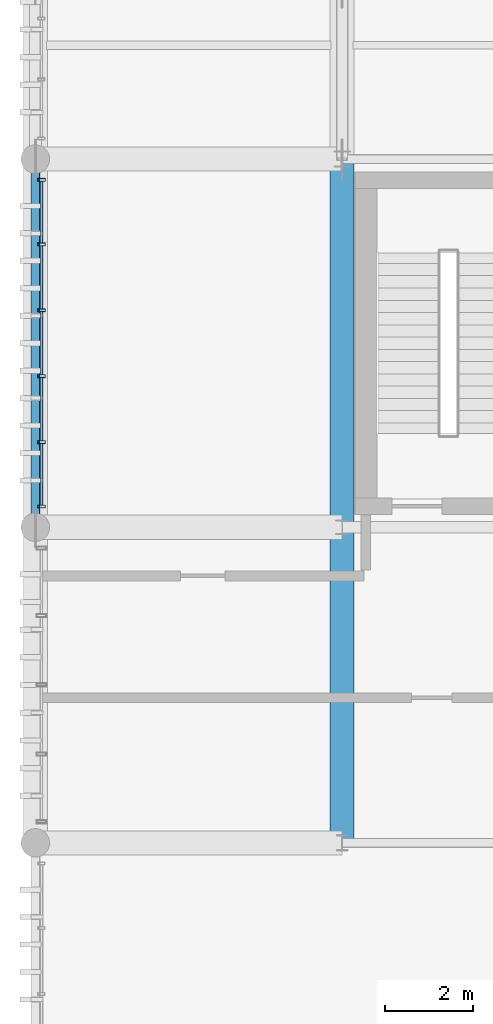
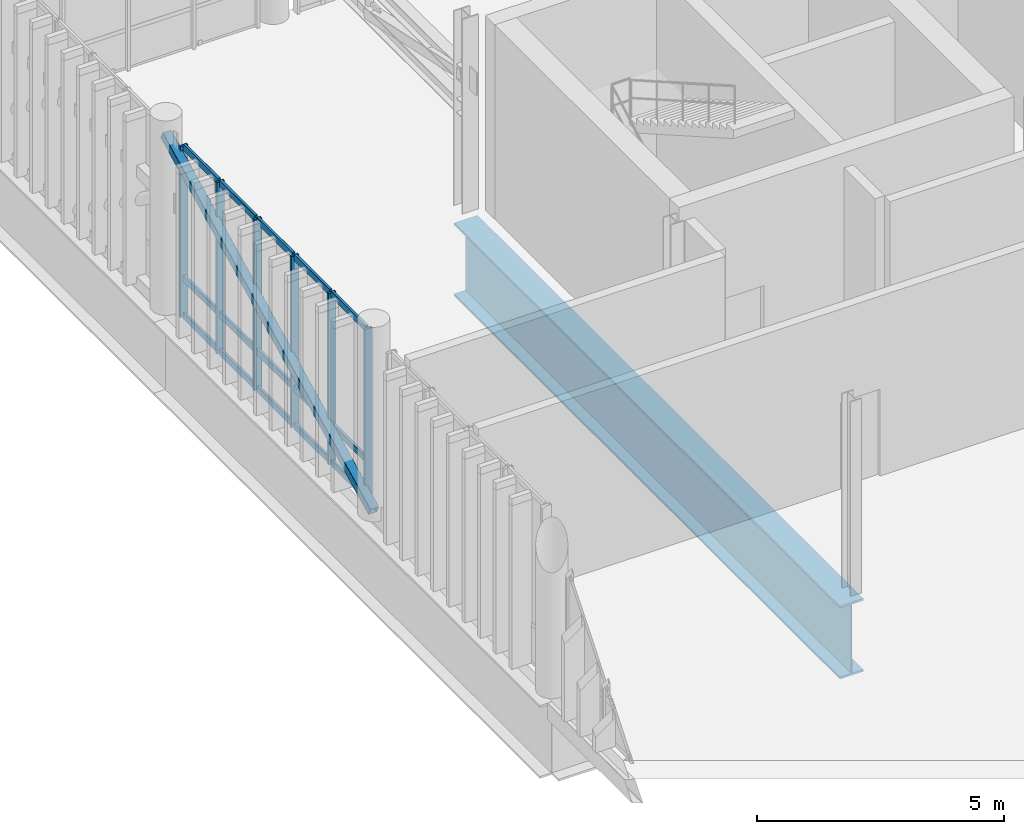
# One storey, part 12 of 81: 22 members, 1 beam, 1 element without a shape of its own.
"""IFC4 building model written with IfcOpenShell, lengths in metres."""

from ifc_helpers import new_model, si_unit, direction, frame, origin_with_axes, origin_2d_with_axis, place, context, subcontext, project, spatial, hollow_rectangle, i_section, extrude, material, material_profile, profile_set, type_object, element, aggregate, save


model = new_model("IFC4")

# Units and contexts
model_context = context("Model", 3, precision=1e-05, world=origin_with_axes(), true_north=direction((0.0, 1.0)))
body_context = subcontext(model_context, "Body", "Model", "MODEL_VIEW")
ifc_project = project(units=[si_unit("LENGTHUNIT", "METRE"), si_unit("AREAUNIT", "SQUARE_METRE"), si_unit("VOLUMEUNIT", "CUBIC_METRE"), si_unit("PLANEANGLEUNIT", "RADIAN"), si_unit("MASSUNIT", "GRAM", prefix="KILO"), si_unit("THERMODYNAMICTEMPERATUREUNIT", "KELVIN")], contexts=[model_context])

# Site, building, storey
site_placement = place(None, origin_with_axes())
site = spatial("IfcSite", under=ifc_project, at=site_placement, CompositionType="ELEMENT")
building_placement = place(site_placement, origin_with_axes())
building = spatial("IfcBuilding", under=site, at=building_placement, Name="Montbau Bow Law Courts", CompositionType="ELEMENT")
storey_placement = place(building_placement, frame((0.0, 0.0, 24.9), z_axis=(0.0, 0.0, 1.0), x_axis=(1.0, 0.0, 0.0)))
storey = spatial("IfcBuildingStorey", under=building, at=storey_placement, Name="L05", CompositionType="ELEMENT", Elevation=24.9)

# Beam
ifc_material_1 = material(Name="Steel CSA G40.21 Grade 350WT (350 MPa)", Category="steel")
ifc_material_profile_1 = material_profile(ifc_material_1, i_section(OverallWidth=0.55, OverallDepth=1.8, WebThickness=0.022, FlangeThickness=0.05, at=origin_2d_with_axis()), Name="WWF1800X550", Category="Main", Priority=0)
ifc_profile_set_1 = profile_set([ifc_material_profile_1], Name="Steel CSA G40.21 Grade 350WT (350 MPa)")
beam_type = type_object("IfcBeamType", Name="B-TRG-01", PredefinedType="USERDEFINED", material=ifc_profile_set_1)
beam_placement = place(None, frame((13.8, 39.0, 23.7), z_axis=(0.0, 1.0, 0.0), x_axis=(-1.0, 0.0, 0.0)))
element("IfcBeam", 1, at=beam_placement, inside=storey, type_object=beam_type, Name="TRG-L05-S0033:bm2_0036", ObjectType="GIRDER", PredefinedType="USERDEFINED", context=body_context, shape_type="SweptSolid", body=[
    extrude(i_section(OverallWidth=0.55, OverallDepth=1.8, WebThickness=0.022, FlangeThickness=0.05, at=origin_2d_with_axis()), origin_with_axes(), (0.0, 0.0, 1.0), 15.6),
])

# Member
ifc_material_2 = material(Name="Steel CSA G40.21 Grade 350W (350 MPa)", Category="steel")
ifc_material_profile_2 = material_profile(ifc_material_2, hollow_rectangle(XDim=0.203, YDim=0.203, WallThickness=0.0111, InnerFilletRadius=0.0222, OuterFilletRadius=0.0111, at=origin_2d_with_axis()), Name="HSS203X203X11", Category="Main", Priority=0)
ifc_profile_set_2 = profile_set([ifc_material_profile_2], Name="Steel CSA G40.21 Grade 350W (350 MPa)")
member_type_1 = type_object("IfcMemberType", Name="M-BRC-02", PredefinedType="BRACE", material=ifc_profile_set_2)
member_1_placement = place(None, frame((6.8, 46.2, 24.95), z_axis=(0.0, 0.894128949, 0.447809582), x_axis=(-1.0, 0.0, 0.0)))
element("IfcMember", 2, at=member_1_placement, inside=storey, type_object=member_type_1, Name="Diagonal brace CBF-L05-042A", PredefinedType="BRACE", context=body_context, shape_type="SweptSolid", body=[
    extrude(hollow_rectangle(XDim=0.203, YDim=0.203, WallThickness=0.0111, InnerFilletRadius=0.0222, OuterFilletRadius=0.0111, at=origin_2d_with_axis()), origin_with_axes(), (0.0, 0.0, 1.0), 9.394618),
])

# Curtain wall, members
ifc_material_3 = material(Name="Thermally Broken Extruded Aluminium AA 6063-T6", Category="aluminium")
curtain_wall_type = type_object("IfcCurtainWallType", Name="CW-TRC-02", PredefinedType="NOTDEFINED", material=ifc_material_3)
curtain_wall_placement = place(None, frame((6.94, 46.64, 24.9), z_axis=(0.0, 0.0, 1.0), x_axis=(1.0, 0.0, 0.0)))
curtain_wall = element("IfcCurtainWall", 3, at=curtain_wall_placement, inside=storey, type_object=curtain_wall_type, Name="CW-L05-088:cw_0088", PredefinedType="NOTDEFINED")
ifc_material_profile_3 = material_profile(ifc_material_3, hollow_rectangle(XDim=0.065, YDim=0.18, WallThickness=0.005, InnerFilletRadius=0.01, OuterFilletRadius=0.005, at=origin_2d_with_axis()), Name="CWM-180X65", Category="Main", Priority=0)
ifc_profile_set_3 = profile_set([ifc_material_profile_3], Name="Thermally Broken Extruded Aluminium AA 6063-T6")
member_type_2 = type_object("IfcMemberType", Name="M-MUL-02", PredefinedType="MULLION", material=ifc_profile_set_3)
member_2_placement = place(None, frame((6.94, 46.673, 24.9), z_axis=(0.0, 0.0, 1.0), x_axis=(0.0, 1.0, 0.0)))
member_2 = element("IfcMember", 4, at=member_2_placement, type_object=member_type_2, Name="CW-L05-088-M01:cw_0088_M01", PredefinedType="MULLION", context=body_context, shape_type="SweptSolid", body=[
    extrude(hollow_rectangle(XDim=0.065, YDim=0.18, WallThickness=0.005, InnerFilletRadius=0.01, OuterFilletRadius=0.005, at=origin_2d_with_axis()), origin_with_axes(), (0.0, 0.0, 1.0), 4.22),
])
member_3_placement = place(None, frame((6.94, 48.144, 24.9), z_axis=(0.0, 0.0, 1.0), x_axis=(0.0, 1.0, 0.0)))
member_3 = element("IfcMember", 5, at=member_3_placement, type_object=member_type_2, Name="CW-L05-088-M02:cw_0088_M02", PredefinedType="MULLION", context=body_context, shape_type="SweptSolid", body=[
    extrude(hollow_rectangle(XDim=0.065, YDim=0.18, WallThickness=0.005, InnerFilletRadius=0.01, OuterFilletRadius=0.005, at=origin_2d_with_axis()), origin_with_axes(), (0.0, 0.0, 1.0), 4.22),
])
member_4_placement = place(None, frame((6.94, 49.648, 24.9), z_axis=(0.0, 0.0, 1.0), x_axis=(0.0, 1.0, 0.0)))
member_4 = element("IfcMember", 6, at=member_4_placement, type_object=member_type_2, Name="CW-L05-088-M03:cw_0088_M03", PredefinedType="MULLION", context=body_context, shape_type="SweptSolid", body=[
    extrude(hollow_rectangle(XDim=0.065, YDim=0.18, WallThickness=0.005, InnerFilletRadius=0.01, OuterFilletRadius=0.005, at=origin_2d_with_axis()), origin_with_axes(), (0.0, 0.0, 1.0), 4.22),
])
member_5_placement = place(None, frame((6.94, 51.152, 24.9), z_axis=(0.0, 0.0, 1.0), x_axis=(0.0, 1.0, 0.0)))
member_5 = element("IfcMember", 7, at=member_5_placement, type_object=member_type_2, Name="CW-L05-088-M04:cw_0088_M04", PredefinedType="MULLION", context=body_context, shape_type="SweptSolid", body=[
    extrude(hollow_rectangle(XDim=0.065, YDim=0.18, WallThickness=0.005, InnerFilletRadius=0.01, OuterFilletRadius=0.005, at=origin_2d_with_axis()), origin_with_axes(), (0.0, 0.0, 1.0), 4.22),
])
member_6_placement = place(None, frame((6.94, 52.656, 24.9), z_axis=(0.0, 0.0, 1.0), x_axis=(0.0, 1.0, 0.0)))
member_6 = element("IfcMember", 8, at=member_6_placement, type_object=member_type_2, Name="CW-L05-088-M05:cw_0088_M05", PredefinedType="MULLION", context=body_context, shape_type="SweptSolid", body=[
    extrude(hollow_rectangle(XDim=0.065, YDim=0.18, WallThickness=0.005, InnerFilletRadius=0.01, OuterFilletRadius=0.005, at=origin_2d_with_axis()), origin_with_axes(), (0.0, 0.0, 1.0), 4.22),
])
member_7_placement = place(None, frame((6.94, 54.127, 24.9), z_axis=(0.0, 0.0, 1.0), x_axis=(0.0, 1.0, 0.0)))
member_7 = element("IfcMember", 9, at=member_7_placement, type_object=member_type_2, Name="CW-L05-088-M06:cw_0088_M06", PredefinedType="MULLION", context=body_context, shape_type="SweptSolid", body=[
    extrude(hollow_rectangle(XDim=0.065, YDim=0.18, WallThickness=0.005, InnerFilletRadius=0.01, OuterFilletRadius=0.005, at=origin_2d_with_axis()), origin_with_axes(), (0.0, 0.0, 1.0), 4.22),
])
ifc_material_profile_4 = material_profile(ifc_material_3, hollow_rectangle(XDim=0.06, YDim=0.16, WallThickness=0.004, InnerFilletRadius=0.008, OuterFilletRadius=0.004, at=origin_2d_with_axis()), Name="CWT-160X60", Category="Main", Priority=0)
ifc_profile_set_4 = profile_set([ifc_material_profile_4], Name="Thermally Broken Extruded Aluminium AA 6063-T6")
member_type_3 = type_object("IfcMemberType", Name="M-TRN-01", PredefinedType="USERDEFINED", material=ifc_profile_set_4)
member_8_placement = place(None, frame((6.94, 46.708, 24.93), z_axis=(0.0, 1.0, 0.0), x_axis=(-1.0, 0.0, 0.0)))
member_8 = element("IfcMember", 10, at=member_8_placement, type_object=member_type_3, Name="CW-L05-088-T01-1:cw_0088_T01_1", ObjectType="TRANSOM", PredefinedType="USERDEFINED", context=body_context, shape_type="SweptSolid", body=[
    extrude(hollow_rectangle(XDim=0.06, YDim=0.16, WallThickness=0.004, InnerFilletRadius=0.008, OuterFilletRadius=0.004, at=origin_2d_with_axis()), origin_with_axes(), (0.0, 0.0, 1.0), 1.402),
])
member_9_placement = place(None, frame((6.94, 46.708, 25.85), z_axis=(0.0, 1.0, 0.0), x_axis=(-1.0, 0.0, 0.0)))
member_9 = element("IfcMember", 11, at=member_9_placement, type_object=member_type_3, Name="CW-L05-088-T01-2:cw_0088_T01_2", ObjectType="TRANSOM", PredefinedType="USERDEFINED", context=body_context, shape_type="SweptSolid", body=[
    extrude(hollow_rectangle(XDim=0.06, YDim=0.16, WallThickness=0.004, InnerFilletRadius=0.008, OuterFilletRadius=0.004, at=origin_2d_with_axis()), origin_with_axes(), (0.0, 0.0, 1.0), 1.402),
])
member_10_placement = place(None, frame((6.94, 46.708, 29.09), z_axis=(0.0, 1.0, 0.0), x_axis=(-1.0, 0.0, 0.0)))
member_10 = element("IfcMember", 12, at=member_10_placement, type_object=member_type_3, Name="CW-L05-088-T01-3:cw_0088_T01_3", ObjectType="TRANSOM", PredefinedType="USERDEFINED", context=body_context, shape_type="SweptSolid", body=[
    extrude(hollow_rectangle(XDim=0.06, YDim=0.16, WallThickness=0.004, InnerFilletRadius=0.008, OuterFilletRadius=0.004, at=origin_2d_with_axis()), origin_with_axes(), (0.0, 0.0, 1.0), 1.402),
])
member_11_placement = place(None, frame((6.94, 48.178, 24.93), z_axis=(0.0, 1.0, 0.0), x_axis=(-1.0, 0.0, 0.0)))
member_11 = element("IfcMember", 13, at=member_11_placement, type_object=member_type_3, Name="CW-L05-088-T02-1:cw_0088_T02_1", ObjectType="TRANSOM", PredefinedType="USERDEFINED", context=body_context, shape_type="SweptSolid", body=[
    extrude(hollow_rectangle(XDim=0.06, YDim=0.16, WallThickness=0.004, InnerFilletRadius=0.008, OuterFilletRadius=0.004, at=origin_2d_with_axis()), origin_with_axes(), (0.0, 0.0, 1.0), 1.436),
])
member_12_placement = place(None, frame((6.94, 48.178, 25.85), z_axis=(0.0, 1.0, 0.0), x_axis=(-1.0, 0.0, 0.0)))
member_12 = element("IfcMember", 14, at=member_12_placement, type_object=member_type_3, Name="CW-L05-088-T02-2:cw_0088_T02_2", ObjectType="TRANSOM", PredefinedType="USERDEFINED", context=body_context, shape_type="SweptSolid", body=[
    extrude(hollow_rectangle(XDim=0.06, YDim=0.16, WallThickness=0.004, InnerFilletRadius=0.008, OuterFilletRadius=0.004, at=origin_2d_with_axis()), origin_with_axes(), (0.0, 0.0, 1.0), 1.436),
])
member_13_placement = place(None, frame((6.94, 48.178, 29.09), z_axis=(0.0, 1.0, 0.0), x_axis=(-1.0, 0.0, 0.0)))
member_13 = element("IfcMember", 15, at=member_13_placement, type_object=member_type_3, Name="CW-L05-088-T02-3:cw_0088_T02_3", ObjectType="TRANSOM", PredefinedType="USERDEFINED", context=body_context, shape_type="SweptSolid", body=[
    extrude(hollow_rectangle(XDim=0.06, YDim=0.16, WallThickness=0.004, InnerFilletRadius=0.008, OuterFilletRadius=0.004, at=origin_2d_with_axis()), origin_with_axes(), (0.0, 0.0, 1.0), 1.436),
])
member_14_placement = place(None, frame((6.94, 49.682, 24.93), z_axis=(0.0, 1.0, 0.0), x_axis=(-1.0, 0.0, 0.0)))
member_14 = element("IfcMember", 16, at=member_14_placement, type_object=member_type_3, Name="CW-L05-088-T03-1:cw_0088_T03_1", ObjectType="TRANSOM", PredefinedType="USERDEFINED", context=body_context, shape_type="SweptSolid", body=[
    extrude(hollow_rectangle(XDim=0.06, YDim=0.16, WallThickness=0.004, InnerFilletRadius=0.008, OuterFilletRadius=0.004, at=origin_2d_with_axis()), origin_with_axes(), (0.0, 0.0, 1.0), 1.436),
])
member_15_placement = place(None, frame((6.94, 49.682, 25.85), z_axis=(0.0, 1.0, 0.0), x_axis=(-1.0, 0.0, 0.0)))
member_15 = element("IfcMember", 17, at=member_15_placement, type_object=member_type_3, Name="CW-L05-088-T03-2:cw_0088_T03_2", ObjectType="TRANSOM", PredefinedType="USERDEFINED", context=body_context, shape_type="SweptSolid", body=[
    extrude(hollow_rectangle(XDim=0.06, YDim=0.16, WallThickness=0.004, InnerFilletRadius=0.008, OuterFilletRadius=0.004, at=origin_2d_with_axis()), origin_with_axes(), (0.0, 0.0, 1.0), 1.436),
])
member_16_placement = place(None, frame((6.94, 49.682, 29.09), z_axis=(0.0, 1.0, 0.0), x_axis=(-1.0, 0.0, 0.0)))
member_16 = element("IfcMember", 18, at=member_16_placement, type_object=member_type_3, Name="CW-L05-088-T03-3:cw_0088_T03_3", ObjectType="TRANSOM", PredefinedType="USERDEFINED", context=body_context, shape_type="SweptSolid", body=[
    extrude(hollow_rectangle(XDim=0.06, YDim=0.16, WallThickness=0.004, InnerFilletRadius=0.008, OuterFilletRadius=0.004, at=origin_2d_with_axis()), origin_with_axes(), (0.0, 0.0, 1.0), 1.436),
])
member_17_placement = place(None, frame((6.94, 51.186, 24.93), z_axis=(0.0, 1.0, 0.0), x_axis=(-1.0, 0.0, 0.0)))
member_17 = element("IfcMember", 19, at=member_17_placement, type_object=member_type_3, Name="CW-L05-088-T04-1:cw_0088_T04_1", ObjectType="TRANSOM", PredefinedType="USERDEFINED", context=body_context, shape_type="SweptSolid", body=[
    extrude(hollow_rectangle(XDim=0.06, YDim=0.16, WallThickness=0.004, InnerFilletRadius=0.008, OuterFilletRadius=0.004, at=origin_2d_with_axis()), origin_with_axes(), (0.0, 0.0, 1.0), 1.436),
])
member_18_placement = place(None, frame((6.94, 51.186, 25.85), z_axis=(0.0, 1.0, 0.0), x_axis=(-1.0, 0.0, 0.0)))
member_18 = element("IfcMember", 20, at=member_18_placement, type_object=member_type_3, Name="CW-L05-088-T04-2:cw_0088_T04_2", ObjectType="TRANSOM", PredefinedType="USERDEFINED", context=body_context, shape_type="SweptSolid", body=[
    extrude(hollow_rectangle(XDim=0.06, YDim=0.16, WallThickness=0.004, InnerFilletRadius=0.008, OuterFilletRadius=0.004, at=origin_2d_with_axis()), origin_with_axes(), (0.0, 0.0, 1.0), 1.436),
])
member_19_placement = place(None, frame((6.94, 51.186, 29.09), z_axis=(0.0, 1.0, 0.0), x_axis=(-1.0, 0.0, 0.0)))
member_19 = element("IfcMember", 21, at=member_19_placement, type_object=member_type_3, Name="CW-L05-088-T04-3:cw_0088_T04_3", ObjectType="TRANSOM", PredefinedType="USERDEFINED", context=body_context, shape_type="SweptSolid", body=[
    extrude(hollow_rectangle(XDim=0.06, YDim=0.16, WallThickness=0.004, InnerFilletRadius=0.008, OuterFilletRadius=0.004, at=origin_2d_with_axis()), origin_with_axes(), (0.0, 0.0, 1.0), 1.436),
])
member_20_placement = place(None, frame((6.94, 52.69, 24.93), z_axis=(0.0, 1.0, 0.0), x_axis=(-1.0, 0.0, 0.0)))
member_20 = element("IfcMember", 22, at=member_20_placement, type_object=member_type_3, Name="CW-L05-088-T05-1:cw_0088_T05_1", ObjectType="TRANSOM", PredefinedType="USERDEFINED", context=body_context, shape_type="SweptSolid", body=[
    extrude(hollow_rectangle(XDim=0.06, YDim=0.16, WallThickness=0.004, InnerFilletRadius=0.008, OuterFilletRadius=0.004, at=origin_2d_with_axis()), origin_with_axes(), (0.0, 0.0, 1.0), 1.403),
])
member_21_placement = place(None, frame((6.94, 52.69, 25.85), z_axis=(0.0, 1.0, 0.0), x_axis=(-1.0, 0.0, 0.0)))
member_21 = element("IfcMember", 23, at=member_21_placement, type_object=member_type_3, Name="CW-L05-088-T05-2:cw_0088_T05_2", ObjectType="TRANSOM", PredefinedType="USERDEFINED", context=body_context, shape_type="SweptSolid", body=[
    extrude(hollow_rectangle(XDim=0.06, YDim=0.16, WallThickness=0.004, InnerFilletRadius=0.008, OuterFilletRadius=0.004, at=origin_2d_with_axis()), origin_with_axes(), (0.0, 0.0, 1.0), 1.403),
])
member_22_placement = place(None, frame((6.94, 52.69, 29.09), z_axis=(0.0, 1.0, 0.0), x_axis=(-1.0, 0.0, 0.0)))
member_22 = element("IfcMember", 24, at=member_22_placement, type_object=member_type_3, Name="CW-L05-088-T05-3:cw_0088_T05_3", ObjectType="TRANSOM", PredefinedType="USERDEFINED", context=body_context, shape_type="SweptSolid", body=[
    extrude(hollow_rectangle(XDim=0.06, YDim=0.16, WallThickness=0.004, InnerFilletRadius=0.008, OuterFilletRadius=0.004, at=origin_2d_with_axis()), origin_with_axes(), (0.0, 0.0, 1.0), 1.403),
])
aggregate(curtain_wall, [member_2, member_3, member_4, member_5, member_6, member_7, member_8, member_9, member_10, member_11, member_12, member_13, member_14, member_15, member_16, member_17, member_18, member_19, member_20, member_21, member_22])

save(model, "model.ifc")
